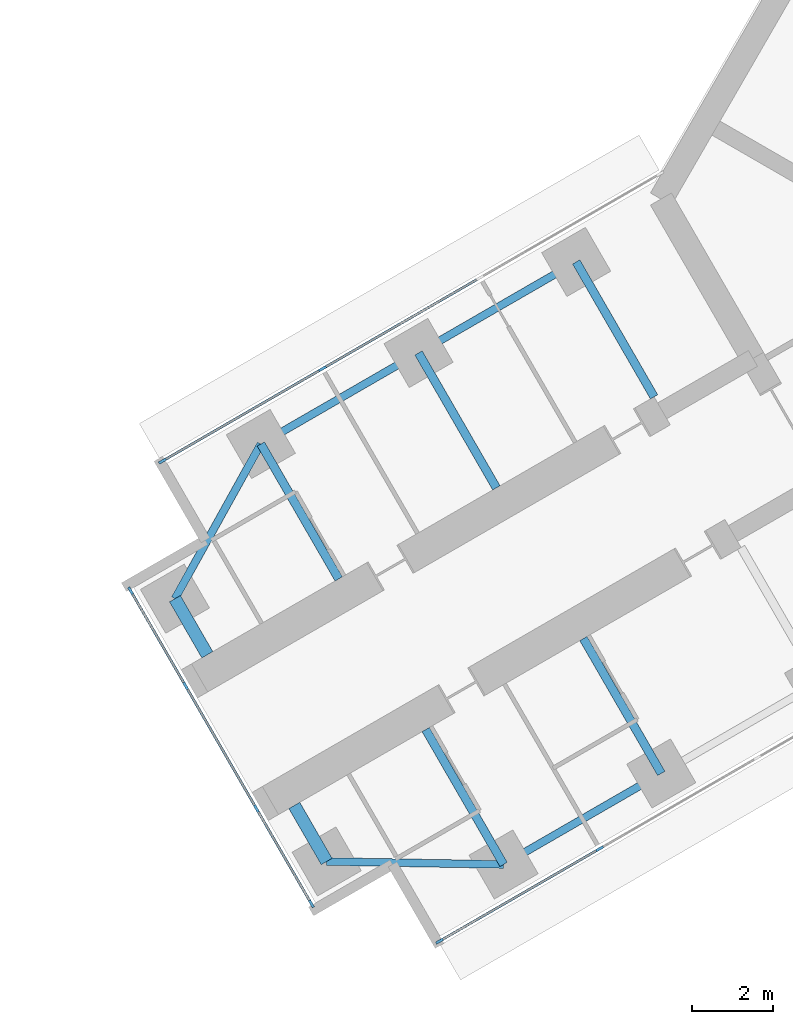
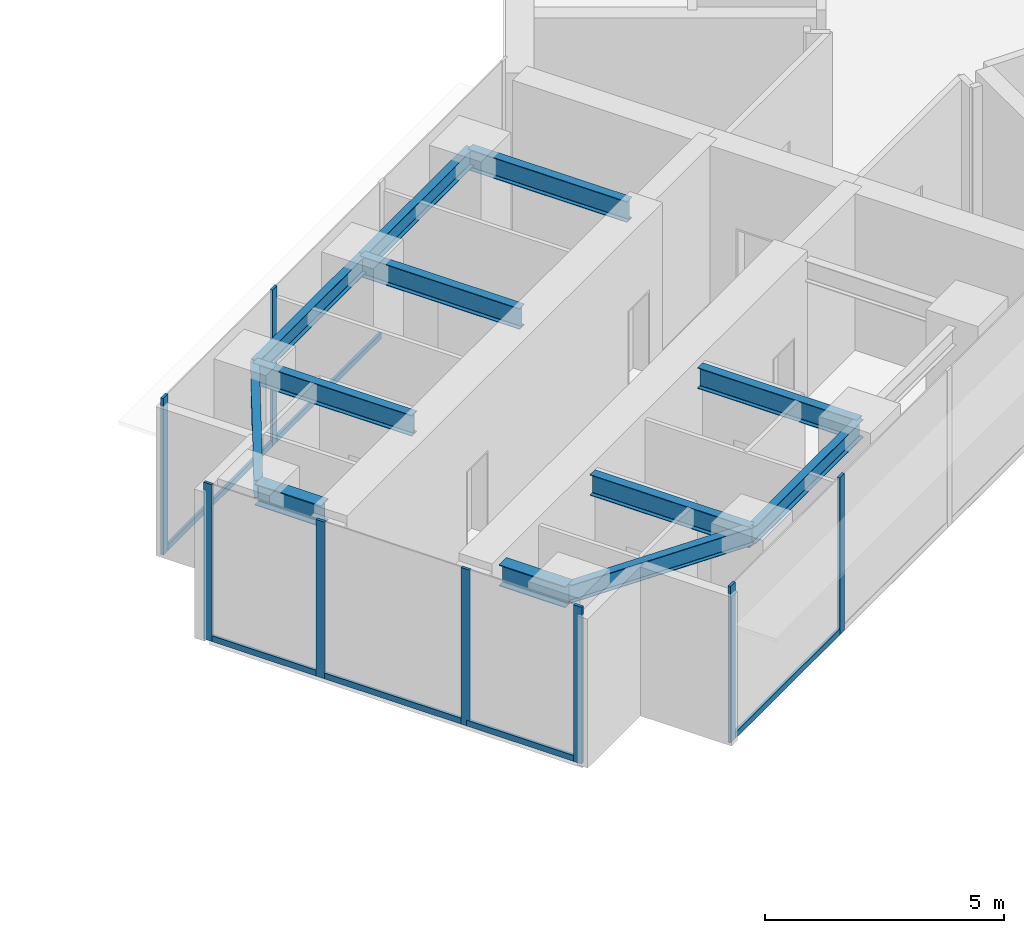
# One storey, part 3 of 23: 14 members, 12 beams, 3 elements without a shape of their own.
"""IFC4 building model written with IfcOpenShell, lengths in metres."""

from ifc_helpers import new_model, si_unit, direction, frame, origin, origin_2d, place, context, subcontext, project, spatial, rectangle, i_section, extrude, material, material_profile, profile_set, type_object, element, aggregate, save


model = new_model("IFC4")

# Units and contexts
model_context = context("Model", 3, precision=1e-05, world=origin(), true_north=direction((0.0, 1.0)))
body_context = subcontext(model_context, "Body", "Model", "MODEL_VIEW")
ifc_project = project(units=[si_unit("LENGTHUNIT", "METRE"), si_unit("AREAUNIT", "SQUARE_METRE"), si_unit("VOLUMEUNIT", "CUBIC_METRE"), si_unit("PLANEANGLEUNIT", "RADIAN"), si_unit("MASSUNIT", "GRAM", prefix="KILO")], contexts=[model_context])

# Site, building, storey
site_placement = place(None, origin())
site = spatial("IfcSite", under=ifc_project, at=site_placement, CompositionType="ELEMENT")
building_placement = place(site_placement, origin())
building = spatial("IfcBuilding", under=site, at=building_placement, Name="Upepo Twin Towers", CompositionType="ELEMENT")
storey_placement = place(building_placement, frame((0.0, 0.0, 153.5)))
storey = spatial("IfcBuildingStorey", under=building, at=storey_placement, Name="L37", CompositionType="ELEMENT", Elevation=153.5)

# Beams
ifc_material_1 = material(Name="Steel S355", Category="steel")
ifc_material_profile_1 = material_profile(ifc_material_1, i_section(OverallWidth=0.1904296875, OverallDepth=0.45703125, WebThickness=0.009033203125, FlangeThickness=0.014404296875, FilletRadius=0.01025390625, at=origin_2d()), Name="UB 457x191x74")
ifc_profile_set_1 = profile_set([ifc_material_profile_1], Name="Steel S355")
beam_type_1 = type_object("IfcBeamType", Name="Beam UB 457x191x74", PredefinedType="BEAM", material=ifc_profile_set_1)
beam_1_placement = place(storey_placement, frame((45.91162109375, -32.196044921875, 3.571533203125), z_axis=(-0.866031096941, -0.499990139034, 0.0), x_axis=(0.499990139034, -0.866031096941, 0.0)))
element("IfcBeam", 1, at=beam_1_placement, inside=storey, type_object=beam_type_1, Name="T2 edge beam BL 18.0-22.5", PredefinedType="BEAM", context=body_context, shape_type="SweptSolid", body=[
    extrude(i_section(OverallWidth=0.1904296875, OverallDepth=0.45703125, WebThickness=0.009033203125, FlangeThickness=0.014404296875, FilletRadius=0.01025390625, at=origin_2d()), origin(), (0.0, 0.0, 1.0), 4.5),
])
beam_2_placement = place(storey_placement, frame((42.014404296875, -34.446044921875, 3.571533203125), z_axis=(-0.999858804832, 0.016803880528, 0.0), x_axis=(-0.016803880528, -0.999858804832, 0.0)))
element("IfcBeam", 2, at=beam_2_placement, inside=storey, type_object=beam_type_1, Name="T2 nose edge beam BL", PredefinedType="BEAM", context=body_context, shape_type="SweptSolid", body=[
    extrude(i_section(OverallWidth=0.1904296875, OverallDepth=0.45703125, WebThickness=0.009033203125, FlangeThickness=0.014404296875, FilletRadius=0.01025390625, at=origin_2d()), origin(), (0.0, 0.0, 1.0), 4.373291015625),
])
beam_3_placement = place(storey_placement, frame((43.80859375, -19.553955078125, 3.571533203125), z_axis=(-0.866017533419, -0.500013631625, 0.0), x_axis=(0.500013631625, -0.866017533419, 0.0)))
element("IfcBeam", 3, at=beam_3_placement, inside=storey, type_object=beam_type_1, Name="T2 edge beam BR 13.5-18.0", PredefinedType="BEAM", context=body_context, shape_type="SweptSolid", body=[
    extrude(i_section(OverallWidth=0.1904296875, OverallDepth=0.45703125, WebThickness=0.009033203125, FlangeThickness=0.014404296875, FilletRadius=0.01025390625, at=origin_2d()), origin(), (0.0, 0.0, 1.0), 4.499755859375),
])
beam_4_placement = place(storey_placement, frame((39.91162109375, -21.803955078125, 3.571533203125), z_axis=(-0.866031096941, -0.499990139034, 0.0), x_axis=(0.499990139034, -0.866031096941, 0.0)))
element("IfcBeam", 4, at=beam_4_placement, inside=storey, type_object=beam_type_1, Name="T2 edge beam BR 18.0-22.5", PredefinedType="BEAM", context=body_context, shape_type="SweptSolid", body=[
    extrude(i_section(OverallWidth=0.1904296875, OverallDepth=0.45703125, WebThickness=0.009033203125, FlangeThickness=0.014404296875, FilletRadius=0.01025390625, at=origin_2d()), origin(), (0.0, 0.0, 1.0), 4.5),
])
beam_5_placement = place(storey_placement, frame((36.014404296875, -24.053955078125, 3.571533203125), z_axis=(-0.485363242752, -0.874312600038, 0.0), x_axis=(0.874312600038, -0.485363242752, 0.0)))
element("IfcBeam", 5, at=beam_5_placement, inside=storey, type_object=beam_type_1, Name="T2 nose edge beam BR", PredefinedType="BEAM", context=body_context, shape_type="SweptSolid", body=[
    extrude(i_section(OverallWidth=0.1904296875, OverallDepth=0.45703125, WebThickness=0.009033203125, FlangeThickness=0.014404296875, FilletRadius=0.01025390625, at=origin_2d()), origin(), (0.0, 0.0, 1.0), 4.373046875),
])
ifc_material_2 = material(Name="Steel S355", Category="steel")
ifc_material_profile_2 = material_profile(ifc_material_2, i_section(OverallWidth=0.209228515625, OverallDepth=0.533203125, WebThickness=0.010009765625, FlangeThickness=0.015625, FilletRadius=0.0126953125, at=origin_2d()), Name="UB 533x210x92")
ifc_profile_set_2 = profile_set([ifc_material_profile_2], Name="Steel S355")
beam_type_2 = type_object("IfcBeamType", Name="Beam UB 533x210x92", PredefinedType="BEAM", material=ifc_profile_set_2)
for number, where, z_axis, x_axis, name in (
    (6, (45.91162109375, -32.196044921875, 3.533447265625), (-0.500033517596, 0.866006051527, 0.0), (-0.866006051527, -0.500033517596, 0.0), "T2 girder BL at 18.0"),
    (7, (42.014404296875, -34.446044921875, 3.533447265625), (-0.500033517596, 0.866006051527, 0.0), (-0.866006051527, -0.500033517596, 0.0), "T2 girder BL at 22.5"),
    (8, (43.80859375, -19.553955078125, 3.533447265625), (0.500033517596, -0.866006051527, 0.0), (0.866006051527, 0.500033517596, 0.0), "T2 girder BR at 13.5"),
):
    element("IfcBeam", number, at=place(storey_placement, frame(where, z_axis=z_axis, x_axis=x_axis)), inside=storey, type_object=beam_type_2, Name=name, PredefinedType="BEAM", context=body_context, shape_type="SweptSolid", body=[
        extrude(i_section(OverallWidth=0.209228515625, OverallDepth=0.533203125, WebThickness=0.010009765625, FlangeThickness=0.015625, FilletRadius=0.0126953125, at=origin_2d()), origin(), (0.0, 0.0, 1.0), 3.849853515625),
    ])
beam_6_placement = place(storey_placement, frame((39.91162109375, -21.803955078125, 3.533447265625), z_axis=(0.499985955615, -0.866033512162, 0.0), x_axis=(0.866033512162, 0.499985955615, 0.0)))
element("IfcBeam", 9, at=beam_6_placement, inside=storey, type_object=beam_type_2, Name="T2 girder BR at 18.0", PredefinedType="BEAM", context=body_context, shape_type="SweptSolid", body=[
    extrude(i_section(OverallWidth=0.209228515625, OverallDepth=0.533203125, WebThickness=0.010009765625, FlangeThickness=0.015625, FilletRadius=0.0126953125, at=origin_2d()), origin(), (0.0, 0.0, 1.0), 3.849609375),
])
beam_7_placement = place(storey_placement, frame((36.014404296875, -24.053955078125, 3.533447265625), z_axis=(0.500033517596, -0.866006051527, 0.0), x_axis=(0.866006051527, 0.500033517596, 0.0)))
element("IfcBeam", 10, at=beam_7_placement, inside=storey, type_object=beam_type_2, Name="T2 girder BR at 22.5", PredefinedType="BEAM", context=body_context, shape_type="SweptSolid", body=[
    extrude(i_section(OverallWidth=0.209228515625, OverallDepth=0.533203125, WebThickness=0.010009765625, FlangeThickness=0.015625, FilletRadius=0.0126953125, at=origin_2d()), origin(), (0.0, 0.0, 1.0), 3.849853515625),
])
ifc_material_3 = material(Name="Steel S355", Category="steel")
ifc_material_profile_3 = material_profile(ifc_material_3, i_section(OverallWidth=0.31201171875, OverallDepth=0.54345703125, WebThickness=0.0126953125, FlangeThickness=0.020263671875, FilletRadius=0.0126953125, at=origin_2d()), Name="UB 533x312x150")
ifc_profile_set_3 = profile_set([ifc_material_profile_3], Name="Steel S355")
beam_type_3 = type_object("IfcBeamType", Name="Beam UB 533x312x150", PredefinedType="BEAM", material=ifc_profile_set_3)
for number, where, z_axis, x_axis, name in (
    (11, (37.641845703125, -34.37255859375, 3.5283203125), (-0.500061482766, 0.865989903783, 0.0), (-0.865989903783, -0.500061482766, 0.0), "T2 nose beam BL"),
    (12, (33.891845703125, -27.87744140625, 3.5283203125), (0.500061482766, -0.865989903783, 0.0), (0.865989903783, 0.500061482766, 0.0), "T2 nose beam BR"),
):
    element("IfcBeam", number, at=place(storey_placement, frame(where, z_axis=z_axis, x_axis=x_axis)), inside=storey, type_object=beam_type_3, Name=name, PredefinedType="BEAM", context=body_context, shape_type="SweptSolid", body=[
        extrude(i_section(OverallWidth=0.31201171875, OverallDepth=0.54345703125, WebThickness=0.0126953125, FlangeThickness=0.020263671875, FilletRadius=0.0126953125, at=origin_2d()), origin(), (0.0, 0.0, 1.0), 1.599853515625),
    ])

# Curtain wall, members
ifc_material_4 = material(Name="Aluminium and fritted glass", Category="aluminium")
curtain_wall_type = type_object("IfcCurtainWallType", Name="Tower curtain wall TW2, fritted glass", PredefinedType="NOTDEFINED", material=ifc_material_4)
curtain_wall_1_placement = place(storey_placement, origin())
curtain_wall_1 = element("IfcCurtainWall", 13, at=curtain_wall_1_placement, inside=storey, type_object=curtain_wall_type, Name="T2 L37 wing B flank L curtain wall", PredefinedType="NOTDEFINED")
ifc_material_5 = material(Name="Aluminium mullion", Category="aluminium")
ifc_material_profile_4 = material_profile(ifc_material_5, rectangle(XDim=0.06494140625, YDim=0.199951171875, at=origin_2d()), Name="MULLION 65x200")
ifc_profile_set_4 = profile_set([ifc_material_profile_4], Name="Aluminium mullion")
member_type_1 = type_object("IfcMemberType", Name="Mullion 65x200 TW2", PredefinedType="MULLION", material=ifc_profile_set_4)
member_1_placement = place(storey_placement, frame((44.387939453125, -34.057373046875, 0.0), z_axis=(0.0, 0.0, 1.0), x_axis=(0.500000010308, -0.866025397833, 0.0)))
member_1 = element("IfcMember", 14, at=member_1_placement, type_object=member_type_1, Name="T2 L37 wing B flank L curtain wall mullion 3", PredefinedType="MULLION", context=body_context, shape_type="SweptSolid", body=[
    extrude(rectangle(XDim=0.06494140625, YDim=0.199951171875, at=origin_2d()), origin(), (0.0, 0.0, 1.0), 4.0),
])
member_2_placement = place(storey_placement, frame((40.432373046875, -36.341064453125, 0.0), z_axis=(0.0, 0.0, 1.0), x_axis=(0.500000010308, -0.866025397833, 0.0)))
member_2 = element("IfcMember", 15, at=member_2_placement, type_object=member_type_1, Name="T2 L37 wing B flank L curtain wall mullion 4", PredefinedType="MULLION", context=body_context, shape_type="SweptSolid", body=[
    extrude(rectangle(XDim=0.06494140625, YDim=0.199951171875, at=origin_2d()), origin(), (0.0, 0.0, 1.0), 4.0),
])

curtain_wall_2_placement = place(storey_placement, origin())
curtain_wall_2 = element("IfcCurtainWall", 16, at=curtain_wall_2_placement, inside=storey, type_object=curtain_wall_type, Name="T2 L37 wing B flank R curtain wall", PredefinedType="NOTDEFINED")
member_3_placement = place(storey_placement, frame((33.58251953125, -24.4765625, 0.0), z_axis=(0.0, 0.0, 1.0), x_axis=(-0.500000010308, 0.866025397833, 0.0)))
member_3 = element("IfcMember", 17, at=member_3_placement, type_object=member_type_1, Name="T2 L37 wing B flank R curtain wall mullion 1", PredefinedType="MULLION", context=body_context, shape_type="SweptSolid", body=[
    extrude(rectangle(XDim=0.06494140625, YDim=0.199951171875, at=origin_2d()), origin(), (0.0, 0.0, 1.0), 4.0),
])
member_4_placement = place(storey_placement, frame((37.5380859375, -22.192626953125, 0.0), z_axis=(0.0, 0.0, 1.0), x_axis=(-0.500000010308, 0.866025397833, 0.0)))
member_4 = element("IfcMember", 18, at=member_4_placement, type_object=member_type_1, Name="T2 L37 wing B flank R curtain wall mullion 2", PredefinedType="MULLION", context=body_context, shape_type="SweptSolid", body=[
    extrude(rectangle(XDim=0.06494140625, YDim=0.199951171875, at=origin_2d()), origin(), (0.0, 0.0, 1.0), 4.0),
])

curtain_wall_3_placement = place(storey_placement, origin())
curtain_wall_3 = element("IfcCurtainWall", 19, at=curtain_wall_3_placement, inside=storey, type_object=curtain_wall_type, Name="T2 L37 wing B nose curtain wall", PredefinedType="NOTDEFINED")
member_5_placement = place(storey_placement, frame((32.796875, -27.68115234375, 0.0), z_axis=(0.0, 0.0, 1.0), x_axis=(0.866025386174, 0.500000030502, 0.0)))
member_5 = element("IfcMember", 20, at=member_5_placement, type_object=member_type_1, Name="T2 L37 wing B nose curtain wall mullion 1", PredefinedType="MULLION", context=body_context, shape_type="SweptSolid", body=[
    extrude(rectangle(XDim=0.06494140625, YDim=0.199951171875, at=origin_2d()), origin(), (0.0, 0.0, 1.0), 4.0),
])
member_6_placement = place(storey_placement, frame((34.15576171875, -30.034423828125, 0.0), z_axis=(0.0, 0.0, 1.0), x_axis=(0.866025386174, 0.500000030502, 0.0)))
member_6 = element("IfcMember", 21, at=member_6_placement, type_object=member_type_1, Name="T2 L37 wing B nose curtain wall mullion 2", PredefinedType="MULLION", context=body_context, shape_type="SweptSolid", body=[
    extrude(rectangle(XDim=0.06494140625, YDim=0.199951171875, at=origin_2d()), origin(), (0.0, 0.0, 1.0), 4.0),
])
member_7_placement = place(storey_placement, frame((35.90576171875, -33.0654296875, 0.0), z_axis=(0.0, 0.0, 1.0), x_axis=(0.866025386174, 0.500000030502, 0.0)))
member_7 = element("IfcMember", 22, at=member_7_placement, type_object=member_type_1, Name="T2 L37 wing B nose curtain wall mullion 3", PredefinedType="MULLION", context=body_context, shape_type="SweptSolid", body=[
    extrude(rectangle(XDim=0.06494140625, YDim=0.199951171875, at=origin_2d()), origin(), (0.0, 0.0, 1.0), 4.0),
])
member_8_placement = place(storey_placement, frame((37.264404296875, -35.4189453125, 0.0), z_axis=(0.0, 0.0, 1.0), x_axis=(0.866025386174, 0.500000030502, 0.0)))
member_8 = element("IfcMember", 23, at=member_8_placement, type_object=member_type_1, Name="T2 L37 wing B nose curtain wall mullion 4", PredefinedType="MULLION", context=body_context, shape_type="SweptSolid", body=[
    extrude(rectangle(XDim=0.06494140625, YDim=0.199951171875, at=origin_2d()), origin(), (0.0, 0.0, 1.0), 4.0),
])

# Member
ifc_material_6 = material(Name="Aluminium transom", Category="aluminium")
ifc_material_profile_5 = material_profile(ifc_material_6, rectangle(XDim=0.06494140625, YDim=0.14990234375, at=origin_2d()), Name="TRANSOM 65x150")
ifc_profile_set_5 = profile_set([ifc_material_profile_5], Name="Aluminium transom")
member_type_2 = type_object("IfcMemberType", Name="Transom 65x150 TW2", PredefinedType="USERDEFINED", material=ifc_profile_set_5)
member_9_placement = place(storey_placement, frame((44.35986328125, -34.073486328125, 0.074951171875), z_axis=(-0.866035699072, -0.499982167615, 0.0), x_axis=(0.499982167615, -0.866035699072, 0.0)))
member_9 = element("IfcMember", 24, at=member_9_placement, type_object=member_type_2, Name="T2 L37 wing B flank L curtain wall transom 3", ObjectType="TRANSOM", PredefinedType="USERDEFINED", context=body_context, shape_type="SweptSolid", body=[
    extrude(rectangle(XDim=0.06494140625, YDim=0.14990234375, at=origin_2d()), origin(), (0.0, 0.0, 1.0), 4.502685546875),
])

aggregate(curtain_wall_1, [member_1, member_2, member_9])

member_10_placement = place(storey_placement, frame((33.610595703125, -24.460205078125, 0.074951171875), z_axis=(0.866022143554, 0.500005646842, 0.0), x_axis=(-0.500005646842, 0.866022143554, 0.0)))
member_10 = element("IfcMember", 25, at=member_10_placement, type_object=member_type_2, Name="T2 L37 wing B flank R curtain wall transom 1", ObjectType="TRANSOM", PredefinedType="USERDEFINED", context=body_context, shape_type="SweptSolid", body=[
    extrude(rectangle(XDim=0.06494140625, YDim=0.14990234375, at=origin_2d()), origin(), (0.0, 0.0, 1.0), 4.50244140625),
])

member_11_placement = place(storey_placement, frame((37.566162109375, -22.176513671875, 0.074951171875), z_axis=(0.866022410713, 0.500005184116, 0.0), x_axis=(-0.500005184116, 0.866022410713, 0.0)))
member_11 = element("IfcMember", 26, at=member_11_placement, type_object=member_type_2, Name="T2 L37 wing B flank R curtain wall transom 2", ObjectType="TRANSOM", PredefinedType="USERDEFINED", context=body_context, shape_type="SweptSolid", body=[
    extrude(rectangle(XDim=0.06494140625, YDim=0.14990234375, at=origin_2d()), origin(), (0.0, 0.0, 1.0), 4.43505859375),
])

aggregate(curtain_wall_2, [member_3, member_4, member_10, member_11])

member_12_placement = place(storey_placement, frame((32.813232421875, -27.709228515625, 0.074951171875), z_axis=(0.499980071345, -0.866036909293, 0.0), x_axis=(0.866036909293, 0.499980071345, 0.0)))
member_12 = element("IfcMember", 27, at=member_12_placement, type_object=member_type_2, Name="T2 L37 wing B nose curtain wall transom 1", ObjectType="TRANSOM", PredefinedType="USERDEFINED", context=body_context, shape_type="SweptSolid", body=[
    extrude(rectangle(XDim=0.06494140625, YDim=0.14990234375, at=origin_2d()), origin(), (0.0, 0.0, 1.0), 2.65234375),
])

member_13_placement = place(storey_placement, frame((34.171875, -30.0625, 0.074951171875), z_axis=(0.499999305434, -0.866025804792, 0.0), x_axis=(0.866025804792, 0.499999305434, 0.0)))
member_13 = element("IfcMember", 28, at=member_13_placement, type_object=member_type_2, Name="T2 L37 wing B nose curtain wall transom 2", ObjectType="TRANSOM", PredefinedType="USERDEFINED", context=body_context, shape_type="SweptSolid", body=[
    extrude(rectangle(XDim=0.06494140625, YDim=0.14990234375, at=origin_2d()), origin(), (0.0, 0.0, 1.0), 3.43505859375),
])

member_14_placement = place(storey_placement, frame((35.921875, -33.09375, 0.074951171875), z_axis=(0.500049101008, -0.865997053448, 0.0), x_axis=(0.865997053448, 0.500049101008, 0.0)))
member_14 = element("IfcMember", 29, at=member_14_placement, type_object=member_type_2, Name="T2 L37 wing B nose curtain wall transom 3", ObjectType="TRANSOM", PredefinedType="USERDEFINED", context=body_context, shape_type="SweptSolid", body=[
    extrude(rectangle(XDim=0.06494140625, YDim=0.14990234375, at=origin_2d()), origin(), (0.0, 0.0, 1.0), 2.652587890625),
])

aggregate(curtain_wall_3, [member_5, member_6, member_7, member_8, member_12, member_13, member_14])

save(model, "model.ifc")
